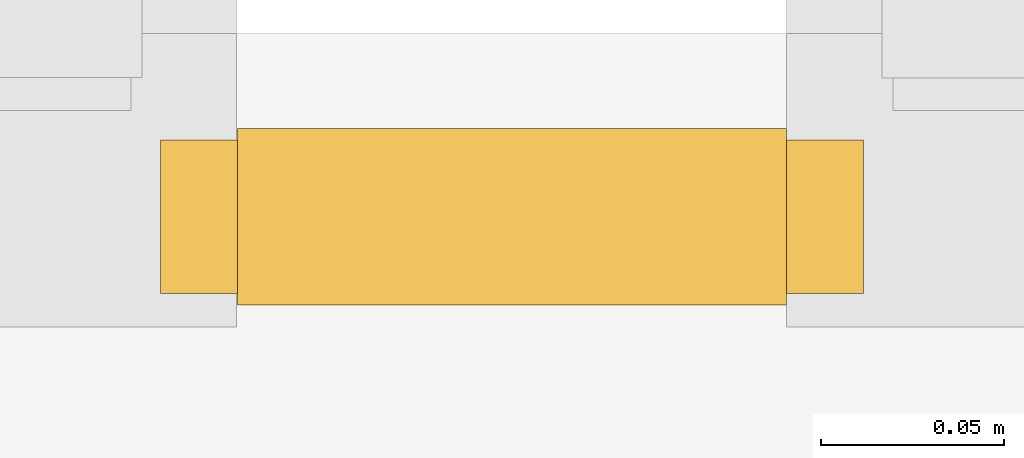
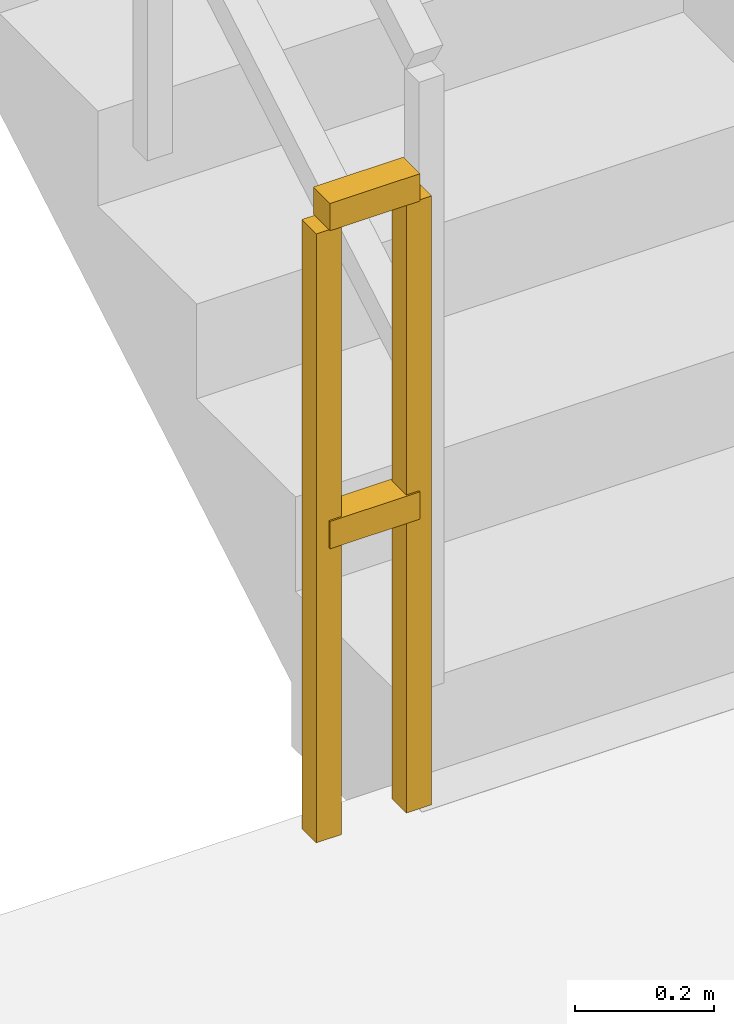
# One storey, part 8 of 13: 1 railing.
"""IFC4 building model written with IfcOpenShell, lengths in metres."""

from ifc_helpers import new_model, si_unit, direction, frame, origin, origin_2d, place, context, subcontext, project, spatial, rectangle, extrude, material, type_object, element, save


model = new_model("IFC4")

# Units and contexts
model_context = context("Model", 3, precision=1e-05, world=origin(), true_north=direction((0.0, 1.0)))
body_context = subcontext(model_context, "Body", "Model", "MODEL_VIEW")
ifc_project = project(units=[si_unit("LENGTHUNIT", "METRE"), si_unit("AREAUNIT", "SQUARE_METRE"), si_unit("VOLUMEUNIT", "CUBIC_METRE"), si_unit("PLANEANGLEUNIT", "RADIAN"), si_unit("MASSUNIT", "GRAM", prefix="KILO")], contexts=[model_context])

# Site, building, storey
site_placement = place(None, origin())
site = spatial("IfcSite", under=ifc_project, at=site_placement, CompositionType="ELEMENT")
building_placement = place(site_placement, origin())
building = spatial("IfcBuilding", under=site, at=building_placement, Name="Apsidion Concourse Tower", CompositionType="ELEMENT")
storey_placement = place(building_placement, frame((0.0, 0.0, 67.0)))
storey = spatial("IfcBuildingStorey", under=building, at=storey_placement, Name="L14", CompositionType="ELEMENT", Elevation=67.0)

# Railing
ifc_material = material(Name="Brushed stainless steel 316", Category="steel")
railing_type = type_object("IfcRailingType", Name="RL-GUARD-1100", PredefinedType="GUARDRAIL", material=ifc_material)
railing_placement = place(storey_placement, frame((-5.5, 2.949951171875, 0.0)))
element("IfcRailing", 1, at=railing_placement, inside=storey, type_object=railing_type, Name="L14 ST1 stair guard 4", PredefinedType="GUARDRAIL", context=body_context, shape_type="SweptSolid", body=[
    extrude(rectangle(XDim=0.048095703125, YDim=0.048095703125, at=origin_2d()), frame((0.0, 0.0, 1.09619140625), z_axis=(-1.0, 0.0, 0.0), x_axis=(0.0, -1.0, 0.0)), (0.0, 0.0, 1.0), 0.14990234375),
    extrude(rectangle(XDim=0.048095703125, YDim=0.048095703125, at=origin_2d()), frame((0.0, 0.0, 0.5361328125), z_axis=(-1.0, 0.0, 0.0), x_axis=(0.0, -1.0, 0.0)), (0.0, 0.0, 1.0), 0.14990234375),
    extrude(rectangle(XDim=0.0419921875, YDim=0.0419921875, at=origin_2d()), origin(), (0.0, 0.0, 1.0), 1.072021484375),
    extrude(rectangle(XDim=0.0419921875, YDim=0.0419921875, at=origin_2d()), frame((-0.14990234375, 0.0, 0.0)), (0.0, 0.0, 1.0), 1.072021484375),
])

save(model, "model.ifc")
